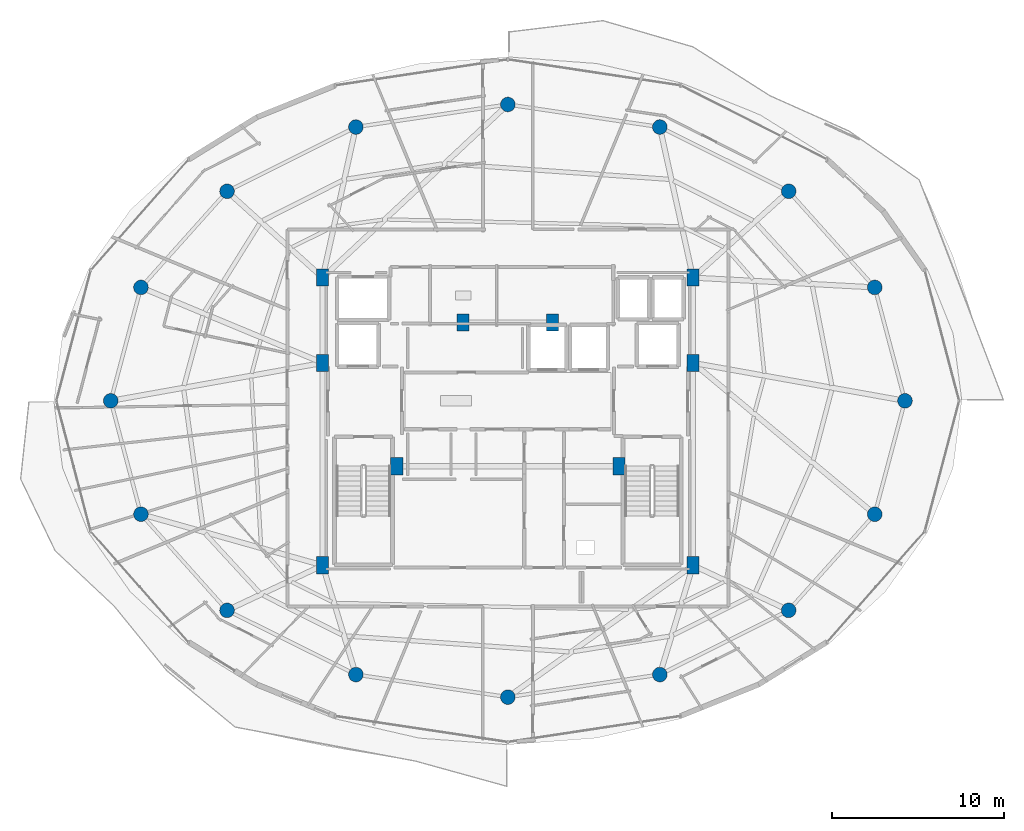
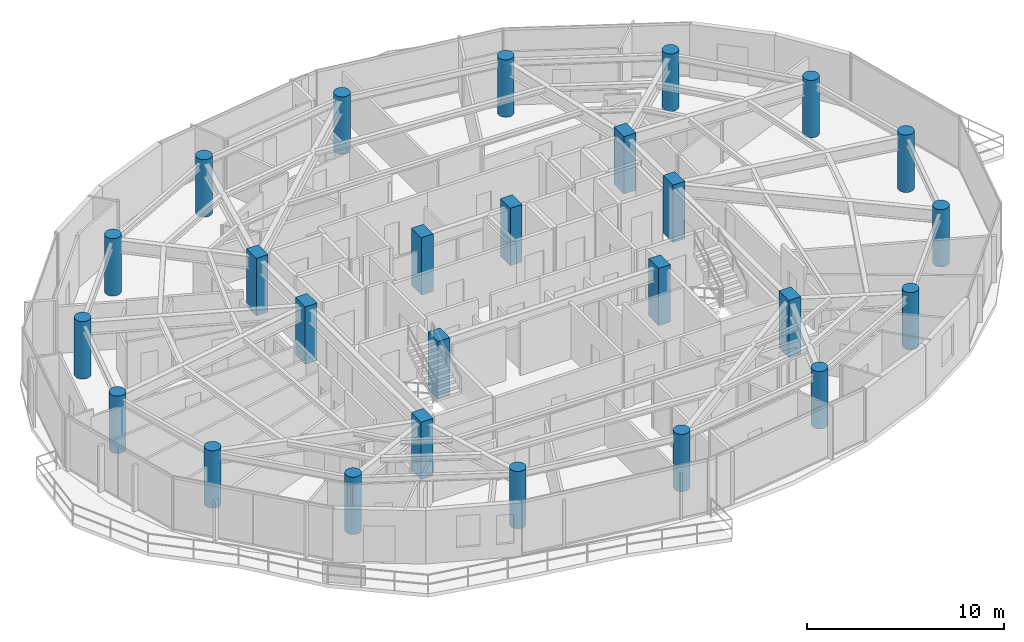
# One storey, part 1 of 32: 26 columns.
"""IFC4 building model written with IfcOpenShell, lengths in metres."""

from ifc_helpers import new_model, si_unit, direction, frame, origin, origin_2d, place, context, subcontext, project, spatial, rectangle, circle, extrude, material, material_profile, profile_set, type_object, element, save


model = new_model("IFC4")

# Units and contexts
model_context = context("Model", 3, precision=1e-05, world=origin(), true_north=direction((0.0, 1.0)))
body_context = subcontext(model_context, "Body", "Model", "MODEL_VIEW")
ifc_project = project(units=[si_unit("LENGTHUNIT", "METRE"), si_unit("AREAUNIT", "SQUARE_METRE"), si_unit("VOLUMEUNIT", "CUBIC_METRE"), si_unit("PLANEANGLEUNIT", "RADIAN"), si_unit("MASSUNIT", "GRAM", prefix="KILO")], contexts=[model_context])

# Site, building, storey
site_placement = place(None, origin())
site = spatial("IfcSite", under=ifc_project, at=site_placement, CompositionType="ELEMENT")
building_placement = place(site_placement, origin())
building = spatial("IfcBuilding", under=site, at=building_placement, Name="Vorneva Point Tower", CompositionType="ELEMENT")
storey_placement = place(building_placement, frame((0.0, 0.0, 269.75)))
storey = spatial("IfcBuildingStorey", under=building, at=storey_placement, Name="L73", CompositionType="ELEMENT", Elevation=269.75)

# Columns
ifc_material = material(Name="Concrete B50 (C40/50)", Category="concrete")
ifc_material_profile_1 = material_profile(ifc_material, circle(Radius=0.425048828125, at=origin_2d()), Name="RC-CIRC 850")
ifc_profile_set_1 = profile_set([ifc_material_profile_1], Name="Concrete B50 (C40/50)")
column_type_1 = type_object("IfcColumnType", Name="COL-RC850C", PredefinedType="COLUMN", material=ifc_profile_set_1)
for number, where, z_axis, x_axis, name in (
    (1, (61.050048828125, 26.0, 0.0), (0.0, 0.0, 1.0), (1.0, 0.0, 0.0), "L73 Perimeter Column P01"),
    (2, (59.29541015625, 32.582275390625, 0.0), (0.0, 0.0, 1.0), (0.923879532511, 0.382683432365, 0.0), "L73 Perimeter Column P02"),
    (3, (54.298828125, 38.162109375, 0.0), (0.0, 0.0, 1.0), (0.707106781187, 0.707106781187, 0.0), "L73 Perimeter Column P03"),
    (4, (46.82080078125, 41.890625, 0.0), (0.0, 0.0, 1.0), (0.382683432365, 0.923879532511, 0.0), "L73 Perimeter Column P04"),
    (5, (38.0, 43.199951171875, 0.0), (0.0, 0.0, 1.0), (0.0, 1.0, 0.0), "L73 Perimeter Column P05"),
    (6, (29.17919921875, 41.890625, 0.0), (0.0, 0.0, 1.0), (-0.382683432365, 0.923879532511, 0.0), "L73 Perimeter Column P06"),
    (7, (21.701171875, 38.162109375, 0.0), (0.0, 0.0, 1.0), (-0.707106781187, 0.707106781187, 0.0), "L73 Perimeter Column P07"),
    (8, (16.70458984375, 32.582275390625, 0.0), (0.0, 0.0, 1.0), (-0.923879532511, 0.382683432365, 0.0), "L73 Perimeter Column P08"),
    (9, (14.949951171875, 26.0, 0.0), (0.0, 0.0, 1.0), (-1.0, 0.0, 0.0), "L73 Perimeter Column P09"),
    (10, (16.70458984375, 19.417724609375, 0.0), (0.0, 0.0, 1.0), (-0.923879532511, -0.382683432365, 0.0), "L73 Perimeter Column P10"),
    (11, (21.701171875, 13.837890625, 0.0), (0.0, 0.0, 1.0), (-0.707106781187, -0.707106781187, 0.0), "L73 Perimeter Column P11"),
    (12, (29.17919921875, 10.109375, 0.0), (0.0, 0.0, 1.0), (-0.382683432365, -0.923879532511, 0.0), "L73 Perimeter Column P12"),
    (13, (38.0, 8.800048828125, 0.0), (0.0, 0.0, 1.0), (0.0, -1.0, 0.0), "L73 Perimeter Column P13"),
    (14, (46.82080078125, 10.109375, 0.0), (0.0, 0.0, 1.0), (0.382683432365, -0.923879532511, 0.0), "L73 Perimeter Column P14"),
    (15, (54.298828125, 13.837890625, 0.0), (0.0, 0.0, 1.0), (0.707106781187, -0.707106781187, 0.0), "L73 Perimeter Column P15"),
    (16, (59.29541015625, 19.417724609375, 0.0), (0.0, 0.0, 1.0), (0.923879532511, -0.382683432365, 0.0), "L73 Perimeter Column P16"),
):
    element("IfcColumn", number, at=place(storey_placement, frame(where, z_axis=z_axis, x_axis=x_axis)), inside=storey, type_object=column_type_1, Name=name, PredefinedType="COLUMN", context=body_context, shape_type="SweptSolid", body=[
        extrude(circle(Radius=0.425048828125, at=origin_2d()), origin(), (0.0, 0.0, 1.0), 3.550048828125),
    ])
ifc_material_profile_2 = material_profile(ifc_material, rectangle(XDim=0.699951171875, YDim=1.0, at=origin_2d()), Name="RC-PIL 1000x700")
ifc_profile_set_2 = profile_set([ifc_material_profile_2], Name="Concrete B50 (C40/50)")
column_type_2 = type_object("IfcColumnType", Name="PIL-RC1000x700", PredefinedType="PILASTER", material=ifc_profile_set_2)
for number, where, z_axis, x_axis, name in (
    (17, (27.25, 16.449951171875, 0.0), (0.0, 0.0, 1.0), (1.0, 0.0, 0.0), "L73 Core Pilaster CP1"),
    (18, (27.25, 28.199951171875, 0.0), (0.0, 0.0, 1.0), (1.0, 0.0, 0.0), "L73 Core Pilaster CP2"),
    (19, (27.25, 33.14990234375, 0.0), (0.0, 0.0, 1.0), (1.0, 0.0, 0.0), "L73 Core Pilaster CP3"),
    (20, (31.550048828125, 22.199951171875, 0.0), (0.0, 0.0, 1.0), (1.0, 0.0, 0.0), "L73 Core Pilaster CP4"),
    (21, (48.75, 33.14990234375, 0.0), (0.0, 0.0, 1.0), (1.0, 0.0, 0.0), "L73 Core Pilaster CP5"),
    (22, (48.75, 28.199951171875, 0.0), (0.0, 0.0, 1.0), (1.0, 0.0, 0.0), "L73 Core Pilaster CP6"),
    (23, (48.75, 16.449951171875, 0.0), (0.0, 0.0, 1.0), (1.0, 0.0, 0.0), "L73 Core Pilaster CP7"),
    (24, (44.449951171875, 22.199951171875, 0.0), (0.0, 0.0, 1.0), (1.0, 0.0, 0.0), "L73 Core Pilaster CP8"),
    (25, (35.39990234375, 30.550048828125, 0.0), (0.0, 0.0, 1.0), (1.0, 0.0, 0.0), "L73 Core Pilaster CP9"),
    (26, (40.60009765625, 30.550048828125, 0.0), (0.0, 0.0, 1.0), (1.0, 0.0, 0.0), "L73 Core Pilaster CP10"),
):
    element("IfcColumn", number, at=place(storey_placement, frame(where, z_axis=z_axis, x_axis=x_axis)), inside=storey, type_object=column_type_2, Name=name, PredefinedType="PILASTER", context=body_context, shape_type="SweptSolid", body=[
        extrude(rectangle(XDim=0.699951171875, YDim=1.0, at=origin_2d()), origin(), (0.0, 0.0, 1.0), 3.550048828125),
    ])

save(model, "model.ifc")
